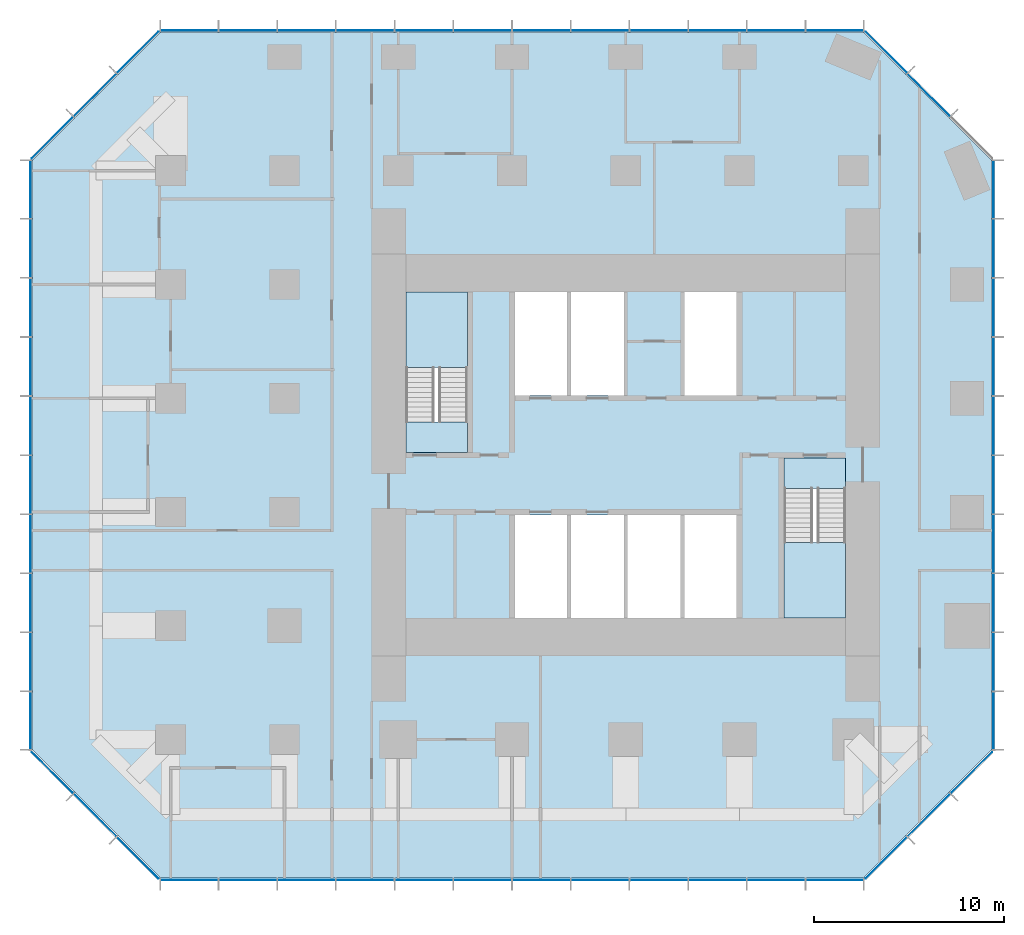
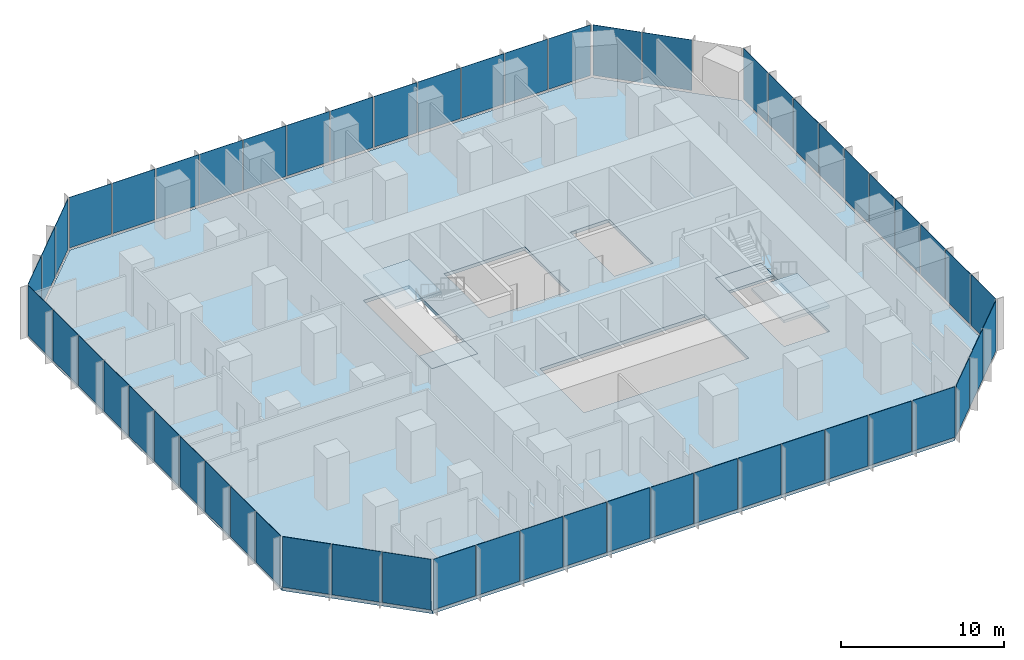
# One storey, part 7 of 11: 55 plates, 5 slabs, 10 elements without a shape of their own.
"""IFC4 building model written with IfcOpenShell, lengths in metres."""

from ifc_helpers import new_model, si_unit, direction, frame, origin, origin_2d, place, context, subcontext, project, spatial, polyline, rectangle, outline, extrude, material, layer, layer_set, type_object, element, aggregate, save


model = new_model("IFC4")

# Units and contexts
model_context = context("Model", 3, precision=1e-05, world=origin(), true_north=direction((0.0, 1.0)))
body_context = subcontext(model_context, "Body", "Model", "MODEL_VIEW")
ifc_project = project(units=[si_unit("LENGTHUNIT", "METRE"), si_unit("AREAUNIT", "SQUARE_METRE"), si_unit("VOLUMEUNIT", "CUBIC_METRE"), si_unit("PLANEANGLEUNIT", "RADIAN"), si_unit("MASSUNIT", "GRAM", prefix="KILO")], contexts=[model_context])

# Site, building, storey
site_placement = place(None, origin())
site = spatial("IfcSite", under=ifc_project, at=site_placement, CompositionType="ELEMENT")
building_placement = place(site_placement, origin())
building = spatial("IfcBuilding", under=site, at=building_placement, Name="Highveld Stack Headquarters", CompositionType="ELEMENT")
storey_placement = place(building_placement, frame((0.0, 0.0, 132.800048828125)))
storey = spatial("IfcBuildingStorey", under=building, at=storey_placement, Name="L32", CompositionType="ELEMENT", Elevation=132.800048828125)

# Curtain wall, plates
ifc_material_1 = material(Name="Aluminium bronze anodised", Category="aluminium")
ifc_layer_1 = layer(ifc_material_1, 0.199951171875)
ifc_layer_set_1 = layer_set([ifc_layer_1], Name="Aluminium bronze anodised")
curtain_wall_type_1 = type_object("IfcCurtainWallType", Name="CW1 TOWER UNITISED CURTAIN WALL", PredefinedType="NOTDEFINED", material=ifc_layer_set_1)
curtain_wall_1_placement = place(storey_placement, origin())
curtain_wall_1 = element("IfcCurtainWall", 1, at=curtain_wall_1_placement, inside=storey, type_object=curtain_wall_type_1, Name="Curtain wall CW1 L32 S", PredefinedType="NOTDEFINED")
ifc_material_2 = material(Name="Glass bronze tinted double glazed unit", Category="glass")
ifc_layer_2 = layer(ifc_material_2, 0.028076171875)
ifc_layer_set_2 = layer_set([ifc_layer_2], Name="Glass bronze tinted double glazed unit")
plate_type_1 = type_object("IfcPlateType", Name="CW1 PANEL BRONZE TINTED DOUBLE GLAZED UNIT", PredefinedType="CURTAIN_PANEL", material=ifc_layer_set_2)
plate_1_placement = place(storey_placement, frame((-17.015380859375, -19.39990234375, 0.10009765625), z_axis=(0.0, 0.0, 1.0), x_axis=(1.0, 0.0, 0.0)))
plate_1 = element("IfcPlate", 2, at=plate_1_placement, type_object=plate_type_1, Name="CW1 panel L32 1.1", PredefinedType="CURTAIN_PANEL", context=body_context, shape_type="SweptSolid", body=[
    extrude(rectangle(XDim=2.9990234375, YDim=0.028076171875, at=origin_2d()), origin(), (0.0, 0.0, 1.0), 3.800048828125),
])
plate_2_placement = place(storey_placement, frame((-13.934814453125, -19.39990234375, 0.10009765625), z_axis=(0.0, 0.0, 1.0), x_axis=(1.0, 0.0, 0.0)))
plate_2 = element("IfcPlate", 3, at=plate_2_placement, type_object=plate_type_1, Name="CW1 panel L32 2.1", PredefinedType="CURTAIN_PANEL", context=body_context, shape_type="SweptSolid", body=[
    extrude(rectangle(XDim=3.031494140625, YDim=0.028076171875, at=origin_2d()), origin(), (0.0, 0.0, 1.0), 3.800048828125),
])
plate_3_placement = place(storey_placement, frame((-10.83837890625, -19.39990234375, 0.10009765625), z_axis=(0.0, 0.0, 1.0), x_axis=(1.0, 0.0, 0.0)))
plate_3 = element("IfcPlate", 4, at=plate_3_placement, type_object=plate_type_1, Name="CW1 panel L32 3.1", PredefinedType="CURTAIN_PANEL", context=body_context, shape_type="SweptSolid", body=[
    extrude(rectangle(XDim=3.031494140625, YDim=0.028076171875, at=origin_2d()), origin(), (0.0, 0.0, 1.0), 3.800048828125),
])
plate_4_placement = place(storey_placement, frame((-7.74169921875, -19.39990234375, 0.10009765625), z_axis=(0.0, 0.0, 1.0), x_axis=(1.0, 0.0, 0.0)))
plate_4 = element("IfcPlate", 5, at=plate_4_placement, type_object=plate_type_1, Name="CW1 panel L32 4.1", PredefinedType="CURTAIN_PANEL", context=body_context, shape_type="SweptSolid", body=[
    extrude(rectangle(XDim=3.031494140625, YDim=0.028076171875, at=origin_2d()), origin(), (0.0, 0.0, 1.0), 3.800048828125),
])
plate_5_placement = place(storey_placement, frame((-4.64501953125, -19.39990234375, 0.10009765625), z_axis=(0.0, 0.0, 1.0), x_axis=(1.0, 0.0, 0.0)))
plate_5 = element("IfcPlate", 6, at=plate_5_placement, type_object=plate_type_1, Name="CW1 panel L32 5.1", PredefinedType="CURTAIN_PANEL", context=body_context, shape_type="SweptSolid", body=[
    extrude(rectangle(XDim=3.031494140625, YDim=0.028076171875, at=origin_2d()), origin(), (0.0, 0.0, 1.0), 3.800048828125),
])
plate_6_placement = place(storey_placement, frame((-1.54833984375, -19.39990234375, 0.10009765625), z_axis=(0.0, 0.0, 1.0), x_axis=(1.0, 0.0, 0.0)))
plate_6 = element("IfcPlate", 7, at=plate_6_placement, type_object=plate_type_1, Name="CW1 panel L32 6.1", PredefinedType="CURTAIN_PANEL", context=body_context, shape_type="SweptSolid", body=[
    extrude(rectangle(XDim=3.031494140625, YDim=0.028076171875, at=origin_2d()), origin(), (0.0, 0.0, 1.0), 3.800048828125),
])
plate_7_placement = place(storey_placement, frame((1.54833984375, -19.39990234375, 0.10009765625), z_axis=(0.0, 0.0, 1.0), x_axis=(1.0, 0.0, 0.0)))
plate_7 = element("IfcPlate", 8, at=plate_7_placement, type_object=plate_type_1, Name="CW1 panel L32 7.1", PredefinedType="CURTAIN_PANEL", context=body_context, shape_type="SweptSolid", body=[
    extrude(rectangle(XDim=3.03173828125, YDim=0.028076171875, at=origin_2d()), origin(), (0.0, 0.0, 1.0), 3.800048828125),
])
plate_8_placement = place(storey_placement, frame((4.64501953125, -19.39990234375, 0.10009765625), z_axis=(0.0, 0.0, 1.0), x_axis=(1.0, 0.0, 0.0)))
plate_8 = element("IfcPlate", 9, at=plate_8_placement, type_object=plate_type_1, Name="CW1 panel L32 8.1", PredefinedType="CURTAIN_PANEL", context=body_context, shape_type="SweptSolid", body=[
    extrude(rectangle(XDim=3.03173828125, YDim=0.028076171875, at=origin_2d()), origin(), (0.0, 0.0, 1.0), 3.800048828125),
])
plate_9_placement = place(storey_placement, frame((7.74169921875, -19.39990234375, 0.10009765625), z_axis=(0.0, 0.0, 1.0), x_axis=(1.0, 0.0, 0.0)))
plate_9 = element("IfcPlate", 10, at=plate_9_placement, type_object=plate_type_1, Name="CW1 panel L32 9.1", PredefinedType="CURTAIN_PANEL", context=body_context, shape_type="SweptSolid", body=[
    extrude(rectangle(XDim=3.03173828125, YDim=0.028076171875, at=origin_2d()), origin(), (0.0, 0.0, 1.0), 3.800048828125),
])
plate_10_placement = place(storey_placement, frame((10.83837890625, -19.39990234375, 0.10009765625), z_axis=(0.0, 0.0, 1.0), x_axis=(1.0, 0.0, 0.0)))
plate_10 = element("IfcPlate", 11, at=plate_10_placement, type_object=plate_type_1, Name="CW1 panel L32 10.1", PredefinedType="CURTAIN_PANEL", context=body_context, shape_type="SweptSolid", body=[
    extrude(rectangle(XDim=3.03173828125, YDim=0.028076171875, at=origin_2d()), origin(), (0.0, 0.0, 1.0), 3.800048828125),
])
plate_11_placement = place(storey_placement, frame((13.934814453125, -19.39990234375, 0.10009765625), z_axis=(0.0, 0.0, 1.0), x_axis=(1.0, 0.0, 0.0)))
plate_11 = element("IfcPlate", 12, at=plate_11_placement, type_object=plate_type_1, Name="CW1 panel L32 11.1", PredefinedType="CURTAIN_PANEL", context=body_context, shape_type="SweptSolid", body=[
    extrude(rectangle(XDim=3.03173828125, YDim=0.028076171875, at=origin_2d()), origin(), (0.0, 0.0, 1.0), 3.800048828125),
])
plate_12_placement = place(storey_placement, frame((17.015380859375, -19.39990234375, 0.10009765625), z_axis=(0.0, 0.0, 1.0), x_axis=(1.0, 0.0, 0.0)))
plate_12 = element("IfcPlate", 13, at=plate_12_placement, type_object=plate_type_1, Name="CW1 panel L32 12.1", PredefinedType="CURTAIN_PANEL", context=body_context, shape_type="SweptSolid", body=[
    extrude(rectangle(XDim=2.999267578125, YDim=0.028076171875, at=origin_2d()), origin(), (0.0, 0.0, 1.0), 3.800048828125),
])
aggregate(curtain_wall_1, [plate_1, plate_2, plate_3, plate_4, plate_5, plate_6, plate_7, plate_8, plate_9, plate_10, plate_11, plate_12])

curtain_wall_2_placement = place(storey_placement, origin())
curtain_wall_2 = element("IfcCurtainWall", 14, at=curtain_wall_2_placement, inside=storey, type_object=curtain_wall_type_1, Name="Curtain wall CW1 L32 E", PredefinedType="NOTDEFINED")
plate_13_placement = place(storey_placement, frame((25.39990234375, -11.005615234375, 0.10009765625), z_axis=(0.0, 0.0, 1.0), x_axis=(0.0, 1.0, 0.0)))
plate_13 = element("IfcPlate", 15, at=plate_13_placement, type_object=plate_type_1, Name="CW1 panel L32 1.1", PredefinedType="CURTAIN_PANEL", context=body_context, shape_type="SweptSolid", body=[
    extrude(rectangle(XDim=3.0185546875, YDim=0.028076171875, at=origin_2d()), origin(), (0.0, 0.0, 1.0), 3.800048828125),
])
plate_14_placement = place(storey_placement, frame((25.39990234375, -7.906005859375, 0.10009765625), z_axis=(0.0, 0.0, 1.0), x_axis=(0.0, 1.0, 0.0)))
plate_14 = element("IfcPlate", 16, at=plate_14_placement, type_object=plate_type_1, Name="CW1 panel L32 2.1", PredefinedType="CURTAIN_PANEL", context=body_context, shape_type="SweptSolid", body=[
    extrude(rectangle(XDim=3.051025390625, YDim=0.028076171875, at=origin_2d()), origin(), (0.0, 0.0, 1.0), 3.800048828125),
])
plate_15_placement = place(storey_placement, frame((25.39990234375, -4.7900390625, 0.10009765625), z_axis=(0.0, 0.0, 1.0), x_axis=(0.0, 1.0, 0.0)))
plate_15 = element("IfcPlate", 17, at=plate_15_placement, type_object=plate_type_1, Name="CW1 panel L32 3.1", PredefinedType="CURTAIN_PANEL", context=body_context, shape_type="SweptSolid", body=[
    extrude(rectangle(XDim=3.051025390625, YDim=0.028076171875, at=origin_2d()), origin(), (0.0, 0.0, 1.0), 3.800048828125),
])
plate_16_placement = place(storey_placement, frame((25.39990234375, -1.674072265625, 0.10009765625), z_axis=(0.0, 0.0, 1.0), x_axis=(0.0, 1.0, 0.0)))
plate_16 = element("IfcPlate", 18, at=plate_16_placement, type_object=plate_type_1, Name="CW1 panel L32 4.1", PredefinedType="CURTAIN_PANEL", context=body_context, shape_type="SweptSolid", body=[
    extrude(rectangle(XDim=3.051025390625, YDim=0.028076171875, at=origin_2d()), origin(), (0.0, 0.0, 1.0), 3.800048828125),
])
plate_17_placement = place(storey_placement, frame((25.39990234375, 1.44189453125, 0.10009765625), z_axis=(0.0, 0.0, 1.0), x_axis=(0.0, 1.0, 0.0)))
plate_17 = element("IfcPlate", 19, at=plate_17_placement, type_object=plate_type_1, Name="CW1 panel L32 5.1", PredefinedType="CURTAIN_PANEL", context=body_context, shape_type="SweptSolid", body=[
    extrude(rectangle(XDim=3.051025390625, YDim=0.028076171875, at=origin_2d()), origin(), (0.0, 0.0, 1.0), 3.800048828125),
])
plate_18_placement = place(storey_placement, frame((25.39990234375, 4.55810546875, 0.10009765625), z_axis=(0.0, 0.0, 1.0), x_axis=(0.0, 1.0, 0.0)))
plate_18 = element("IfcPlate", 20, at=plate_18_placement, type_object=plate_type_1, Name="CW1 panel L32 6.1", PredefinedType="CURTAIN_PANEL", context=body_context, shape_type="SweptSolid", body=[
    extrude(rectangle(XDim=3.051025390625, YDim=0.028076171875, at=origin_2d()), origin(), (0.0, 0.0, 1.0), 3.800048828125),
])
plate_19_placement = place(storey_placement, frame((25.39990234375, 7.674072265625, 0.10009765625), z_axis=(0.0, 0.0, 1.0), x_axis=(0.0, 1.0, 0.0)))
plate_19 = element("IfcPlate", 21, at=plate_19_placement, type_object=plate_type_1, Name="CW1 panel L32 7.1", PredefinedType="CURTAIN_PANEL", context=body_context, shape_type="SweptSolid", body=[
    extrude(rectangle(XDim=3.051025390625, YDim=0.028076171875, at=origin_2d()), origin(), (0.0, 0.0, 1.0), 3.800048828125),
])
plate_20_placement = place(storey_placement, frame((25.39990234375, 10.789794921875, 0.10009765625), z_axis=(0.0, 0.0, 1.0), x_axis=(0.0, 1.0, 0.0)))
plate_20 = element("IfcPlate", 22, at=plate_20_placement, type_object=plate_type_1, Name="CW1 panel L32 8.1", PredefinedType="CURTAIN_PANEL", context=body_context, shape_type="SweptSolid", body=[
    extrude(rectangle(XDim=3.051025390625, YDim=0.028076171875, at=origin_2d()), origin(), (0.0, 0.0, 1.0), 3.800048828125),
])
plate_21_placement = place(storey_placement, frame((25.39990234375, 13.906005859375, 0.10009765625), z_axis=(0.0, 0.0, 1.0), x_axis=(0.0, 1.0, 0.0)))
plate_21 = element("IfcPlate", 23, at=plate_21_placement, type_object=plate_type_1, Name="CW1 panel L32 9.1", PredefinedType="CURTAIN_PANEL", context=body_context, shape_type="SweptSolid", body=[
    extrude(rectangle(XDim=3.051025390625, YDim=0.028076171875, at=origin_2d()), origin(), (0.0, 0.0, 1.0), 3.800048828125),
])
plate_22_placement = place(storey_placement, frame((25.39990234375, 17.005615234375, 0.10009765625), z_axis=(0.0, 0.0, 1.0), x_axis=(0.0, 1.0, 0.0)))
plate_22 = element("IfcPlate", 24, at=plate_22_placement, type_object=plate_type_1, Name="CW1 panel L32 10.1", PredefinedType="CURTAIN_PANEL", context=body_context, shape_type="SweptSolid", body=[
    extrude(rectangle(XDim=3.0185546875, YDim=0.028076171875, at=origin_2d()), origin(), (0.0, 0.0, 1.0), 3.800048828125),
])
aggregate(curtain_wall_2, [plate_13, plate_14, plate_15, plate_16, plate_17, plate_18, plate_19, plate_20, plate_21, plate_22])

curtain_wall_3_placement = place(storey_placement, origin())
curtain_wall_3 = element("IfcCurtainWall", 25, at=curtain_wall_3_placement, inside=storey, type_object=curtain_wall_type_1, Name="Curtain wall CW1 L32 N", PredefinedType="NOTDEFINED")
plate_23_placement = place(storey_placement, frame((17.015380859375, 25.39990234375, 0.10009765625), z_axis=(0.0, 0.0, 1.0), x_axis=(-1.0, 0.0, 0.0)))
plate_23 = element("IfcPlate", 26, at=plate_23_placement, type_object=plate_type_1, Name="CW1 panel L32 1.1", PredefinedType="CURTAIN_PANEL", context=body_context, shape_type="SweptSolid", body=[
    extrude(rectangle(XDim=2.9990234375, YDim=0.028076171875, at=origin_2d()), origin(), (0.0, 0.0, 1.0), 3.800048828125),
])
plate_24_placement = place(storey_placement, frame((13.934814453125, 25.39990234375, 0.10009765625), z_axis=(0.0, 0.0, 1.0), x_axis=(-1.0, 0.0, 0.0)))
plate_24 = element("IfcPlate", 27, at=plate_24_placement, type_object=plate_type_1, Name="CW1 panel L32 2.1", PredefinedType="CURTAIN_PANEL", context=body_context, shape_type="SweptSolid", body=[
    extrude(rectangle(XDim=3.031494140625, YDim=0.028076171875, at=origin_2d()), origin(), (0.0, 0.0, 1.0), 3.800048828125),
])
plate_25_placement = place(storey_placement, frame((10.83837890625, 25.39990234375, 0.10009765625), z_axis=(0.0, 0.0, 1.0), x_axis=(-1.0, 0.0, 0.0)))
plate_25 = element("IfcPlate", 28, at=plate_25_placement, type_object=plate_type_1, Name="CW1 panel L32 3.1", PredefinedType="CURTAIN_PANEL", context=body_context, shape_type="SweptSolid", body=[
    extrude(rectangle(XDim=3.031494140625, YDim=0.028076171875, at=origin_2d()), origin(), (0.0, 0.0, 1.0), 3.800048828125),
])
plate_26_placement = place(storey_placement, frame((7.74169921875, 25.39990234375, 0.10009765625), z_axis=(0.0, 0.0, 1.0), x_axis=(-1.0, 0.0, 0.0)))
plate_26 = element("IfcPlate", 29, at=plate_26_placement, type_object=plate_type_1, Name="CW1 panel L32 4.1", PredefinedType="CURTAIN_PANEL", context=body_context, shape_type="SweptSolid", body=[
    extrude(rectangle(XDim=3.031494140625, YDim=0.028076171875, at=origin_2d()), origin(), (0.0, 0.0, 1.0), 3.800048828125),
])
plate_27_placement = place(storey_placement, frame((4.64501953125, 25.39990234375, 0.10009765625), z_axis=(0.0, 0.0, 1.0), x_axis=(-1.0, 0.0, 0.0)))
plate_27 = element("IfcPlate", 30, at=plate_27_placement, type_object=plate_type_1, Name="CW1 panel L32 5.1", PredefinedType="CURTAIN_PANEL", context=body_context, shape_type="SweptSolid", body=[
    extrude(rectangle(XDim=3.031494140625, YDim=0.028076171875, at=origin_2d()), origin(), (0.0, 0.0, 1.0), 3.800048828125),
])
plate_28_placement = place(storey_placement, frame((1.54833984375, 25.39990234375, 0.10009765625), z_axis=(0.0, 0.0, 1.0), x_axis=(-1.0, 0.0, 0.0)))
plate_28 = element("IfcPlate", 31, at=plate_28_placement, type_object=plate_type_1, Name="CW1 panel L32 6.1", PredefinedType="CURTAIN_PANEL", context=body_context, shape_type="SweptSolid", body=[
    extrude(rectangle(XDim=3.031494140625, YDim=0.028076171875, at=origin_2d()), origin(), (0.0, 0.0, 1.0), 3.800048828125),
])
plate_29_placement = place(storey_placement, frame((-1.54833984375, 25.39990234375, 0.10009765625), z_axis=(0.0, 0.0, 1.0), x_axis=(-1.0, 0.0, 0.0)))
plate_29 = element("IfcPlate", 32, at=plate_29_placement, type_object=plate_type_1, Name="CW1 panel L32 7.1", PredefinedType="CURTAIN_PANEL", context=body_context, shape_type="SweptSolid", body=[
    extrude(rectangle(XDim=3.03173828125, YDim=0.028076171875, at=origin_2d()), origin(), (0.0, 0.0, 1.0), 3.800048828125),
])
plate_30_placement = place(storey_placement, frame((-4.64501953125, 25.39990234375, 0.10009765625), z_axis=(0.0, 0.0, 1.0), x_axis=(-1.0, 0.0, 0.0)))
plate_30 = element("IfcPlate", 33, at=plate_30_placement, type_object=plate_type_1, Name="CW1 panel L32 8.1", PredefinedType="CURTAIN_PANEL", context=body_context, shape_type="SweptSolid", body=[
    extrude(rectangle(XDim=3.03173828125, YDim=0.028076171875, at=origin_2d()), origin(), (0.0, 0.0, 1.0), 3.800048828125),
])
plate_31_placement = place(storey_placement, frame((-7.74169921875, 25.39990234375, 0.10009765625), z_axis=(0.0, 0.0, 1.0), x_axis=(-1.0, 0.0, 0.0)))
plate_31 = element("IfcPlate", 34, at=plate_31_placement, type_object=plate_type_1, Name="CW1 panel L32 9.1", PredefinedType="CURTAIN_PANEL", context=body_context, shape_type="SweptSolid", body=[
    extrude(rectangle(XDim=3.03173828125, YDim=0.028076171875, at=origin_2d()), origin(), (0.0, 0.0, 1.0), 3.800048828125),
])
plate_32_placement = place(storey_placement, frame((-10.83837890625, 25.39990234375, 0.10009765625), z_axis=(0.0, 0.0, 1.0), x_axis=(-1.0, 0.0, 0.0)))
plate_32 = element("IfcPlate", 35, at=plate_32_placement, type_object=plate_type_1, Name="CW1 panel L32 10.1", PredefinedType="CURTAIN_PANEL", context=body_context, shape_type="SweptSolid", body=[
    extrude(rectangle(XDim=3.03173828125, YDim=0.028076171875, at=origin_2d()), origin(), (0.0, 0.0, 1.0), 3.800048828125),
])
plate_33_placement = place(storey_placement, frame((-13.934814453125, 25.39990234375, 0.10009765625), z_axis=(0.0, 0.0, 1.0), x_axis=(-1.0, 0.0, 0.0)))
plate_33 = element("IfcPlate", 36, at=plate_33_placement, type_object=plate_type_1, Name="CW1 panel L32 11.1", PredefinedType="CURTAIN_PANEL", context=body_context, shape_type="SweptSolid", body=[
    extrude(rectangle(XDim=3.03173828125, YDim=0.028076171875, at=origin_2d()), origin(), (0.0, 0.0, 1.0), 3.800048828125),
])
plate_34_placement = place(storey_placement, frame((-17.015380859375, 25.39990234375, 0.10009765625), z_axis=(0.0, 0.0, 1.0), x_axis=(-1.0, 0.0, 0.0)))
plate_34 = element("IfcPlate", 37, at=plate_34_placement, type_object=plate_type_1, Name="CW1 panel L32 12.1", PredefinedType="CURTAIN_PANEL", context=body_context, shape_type="SweptSolid", body=[
    extrude(rectangle(XDim=2.999267578125, YDim=0.028076171875, at=origin_2d()), origin(), (0.0, 0.0, 1.0), 3.800048828125),
])
aggregate(curtain_wall_3, [plate_23, plate_24, plate_25, plate_26, plate_27, plate_28, plate_29, plate_30, plate_31, plate_32, plate_33, plate_34])

curtain_wall_4_placement = place(storey_placement, origin())
curtain_wall_4 = element("IfcCurtainWall", 38, at=curtain_wall_4_placement, inside=storey, type_object=curtain_wall_type_1, Name="Curtain wall CW1 L32 W", PredefinedType="NOTDEFINED")
plate_35_placement = place(storey_placement, frame((-25.39990234375, 17.005615234375, 0.10009765625), z_axis=(0.0, 0.0, 1.0), x_axis=(0.0, -1.0, 0.0)))
plate_35 = element("IfcPlate", 39, at=plate_35_placement, type_object=plate_type_1, Name="CW1 panel L32 1.1", PredefinedType="CURTAIN_PANEL", context=body_context, shape_type="SweptSolid", body=[
    extrude(rectangle(XDim=3.0185546875, YDim=0.028076171875, at=origin_2d()), origin(), (0.0, 0.0, 1.0), 3.800048828125),
])
plate_36_placement = place(storey_placement, frame((-25.39990234375, 13.906005859375, 0.10009765625), z_axis=(0.0, 0.0, 1.0), x_axis=(0.0, -1.0, 0.0)))
plate_36 = element("IfcPlate", 40, at=plate_36_placement, type_object=plate_type_1, Name="CW1 panel L32 2.1", PredefinedType="CURTAIN_PANEL", context=body_context, shape_type="SweptSolid", body=[
    extrude(rectangle(XDim=3.051025390625, YDim=0.028076171875, at=origin_2d()), origin(), (0.0, 0.0, 1.0), 3.800048828125),
])
plate_37_placement = place(storey_placement, frame((-25.39990234375, 10.7900390625, 0.10009765625), z_axis=(0.0, 0.0, 1.0), x_axis=(0.0, -1.0, 0.0)))
plate_37 = element("IfcPlate", 41, at=plate_37_placement, type_object=plate_type_1, Name="CW1 panel L32 3.1", PredefinedType="CURTAIN_PANEL", context=body_context, shape_type="SweptSolid", body=[
    extrude(rectangle(XDim=3.051025390625, YDim=0.028076171875, at=origin_2d()), origin(), (0.0, 0.0, 1.0), 3.800048828125),
])
plate_38_placement = place(storey_placement, frame((-25.39990234375, 7.674072265625, 0.10009765625), z_axis=(0.0, 0.0, 1.0), x_axis=(0.0, -1.0, 0.0)))
plate_38 = element("IfcPlate", 42, at=plate_38_placement, type_object=plate_type_1, Name="CW1 panel L32 4.1", PredefinedType="CURTAIN_PANEL", context=body_context, shape_type="SweptSolid", body=[
    extrude(rectangle(XDim=3.051025390625, YDim=0.028076171875, at=origin_2d()), origin(), (0.0, 0.0, 1.0), 3.800048828125),
])
plate_39_placement = place(storey_placement, frame((-25.39990234375, 4.55810546875, 0.10009765625), z_axis=(0.0, 0.0, 1.0), x_axis=(0.0, -1.0, 0.0)))
plate_39 = element("IfcPlate", 43, at=plate_39_placement, type_object=plate_type_1, Name="CW1 panel L32 5.1", PredefinedType="CURTAIN_PANEL", context=body_context, shape_type="SweptSolid", body=[
    extrude(rectangle(XDim=3.051025390625, YDim=0.028076171875, at=origin_2d()), origin(), (0.0, 0.0, 1.0), 3.800048828125),
])
plate_40_placement = place(storey_placement, frame((-25.39990234375, 1.44189453125, 0.10009765625), z_axis=(0.0, 0.0, 1.0), x_axis=(0.0, -1.0, 0.0)))
plate_40 = element("IfcPlate", 44, at=plate_40_placement, type_object=plate_type_1, Name="CW1 panel L32 6.1", PredefinedType="CURTAIN_PANEL", context=body_context, shape_type="SweptSolid", body=[
    extrude(rectangle(XDim=3.051025390625, YDim=0.028076171875, at=origin_2d()), origin(), (0.0, 0.0, 1.0), 3.800048828125),
])
plate_41_placement = place(storey_placement, frame((-25.39990234375, -1.674072265625, 0.10009765625), z_axis=(0.0, 0.0, 1.0), x_axis=(0.0, -1.0, 0.0)))
plate_41 = element("IfcPlate", 45, at=plate_41_placement, type_object=plate_type_1, Name="CW1 panel L32 7.1", PredefinedType="CURTAIN_PANEL", context=body_context, shape_type="SweptSolid", body=[
    extrude(rectangle(XDim=3.051025390625, YDim=0.028076171875, at=origin_2d()), origin(), (0.0, 0.0, 1.0), 3.800048828125),
])
plate_42_placement = place(storey_placement, frame((-25.39990234375, -4.789794921875, 0.10009765625), z_axis=(0.0, 0.0, 1.0), x_axis=(0.0, -1.0, 0.0)))
plate_42 = element("IfcPlate", 46, at=plate_42_placement, type_object=plate_type_1, Name="CW1 panel L32 8.1", PredefinedType="CURTAIN_PANEL", context=body_context, shape_type="SweptSolid", body=[
    extrude(rectangle(XDim=3.051025390625, YDim=0.028076171875, at=origin_2d()), origin(), (0.0, 0.0, 1.0), 3.800048828125),
])
plate_43_placement = place(storey_placement, frame((-25.39990234375, -7.906005859375, 0.10009765625), z_axis=(0.0, 0.0, 1.0), x_axis=(0.0, -1.0, 0.0)))
plate_43 = element("IfcPlate", 47, at=plate_43_placement, type_object=plate_type_1, Name="CW1 panel L32 9.1", PredefinedType="CURTAIN_PANEL", context=body_context, shape_type="SweptSolid", body=[
    extrude(rectangle(XDim=3.051025390625, YDim=0.028076171875, at=origin_2d()), origin(), (0.0, 0.0, 1.0), 3.800048828125),
])
plate_44_placement = place(storey_placement, frame((-25.39990234375, -11.005615234375, 0.10009765625), z_axis=(0.0, 0.0, 1.0), x_axis=(0.0, -1.0, 0.0)))
plate_44 = element("IfcPlate", 48, at=plate_44_placement, type_object=plate_type_1, Name="CW1 panel L32 10.1", PredefinedType="CURTAIN_PANEL", context=body_context, shape_type="SweptSolid", body=[
    extrude(rectangle(XDim=3.0185546875, YDim=0.028076171875, at=origin_2d()), origin(), (0.0, 0.0, 1.0), 3.800048828125),
])
aggregate(curtain_wall_4, [plate_35, plate_36, plate_37, plate_38, plate_39, plate_40, plate_41, plate_42, plate_43, plate_44])

ifc_material_3 = material(Name="Aluminium bronze anodised", Category="aluminium")
ifc_layer_3 = layer(ifc_material_3, 0.199951171875)
ifc_layer_set_3 = layer_set([ifc_layer_3], Name="Aluminium bronze anodised")
curtain_wall_type_2 = type_object("IfcCurtainWallType", Name="CW2 TOWER CHAMFER UNITISED CURTAIN WALL", PredefinedType="NOTDEFINED", material=ifc_layer_set_3)
curtain_wall_5_placement = place(storey_placement, origin())
curtain_wall_5 = element("IfcCurtainWall", 49, at=curtain_wall_5_placement, inside=storey, type_object=curtain_wall_type_2, Name="Curtain wall CW2 L32 SE", PredefinedType="NOTDEFINED")
ifc_material_4 = material(Name="Glass bronze tinted double glazed unit", Category="glass")
ifc_layer_4 = layer(ifc_material_4, 0.028076171875)
ifc_layer_set_4 = layer_set([ifc_layer_4], Name="Glass bronze tinted double glazed unit")
plate_type_2 = type_object("IfcPlateType", Name="CW2 PANEL BRONZE TINTED DOUBLE GLAZED UNIT", PredefinedType="CURTAIN_PANEL", material=ifc_layer_set_4)
plate_45_placement = place(storey_placement, frame((19.740478515625, -18.239501953125, 0.10009765625), z_axis=(0.0, 0.0, 1.0), x_axis=(0.707106781187, 0.707106781187, 0.0)))
plate_45 = element("IfcPlate", 50, at=plate_45_placement, type_object=plate_type_2, Name="CW2 panel L32 1.1", PredefinedType="CURTAIN_PANEL", context=body_context, shape_type="SweptSolid", body=[
    extrude(rectangle(XDim=3.08251953125, YDim=0.028076171875, at=origin_2d()), origin(), (0.0, 0.0, 1.0), 3.800048828125),
])
plate_46_placement = place(storey_placement, frame((21.989990234375, -15.989990234375, 0.10009765625), z_axis=(0.0, 0.0, 1.0), x_axis=(0.707106781187, 0.707106781187, 0.0)))
plate_46 = element("IfcPlate", 51, at=plate_46_placement, type_object=plate_type_2, Name="CW2 panel L32 2.1", PredefinedType="CURTAIN_PANEL", context=body_context, shape_type="SweptSolid", body=[
    extrude(rectangle(XDim=3.14990234375, YDim=0.028076171875, at=origin_2d()), origin(), (0.0, 0.0, 1.0), 3.800048828125),
])
plate_47_placement = place(storey_placement, frame((24.239501953125, -13.740478515625, 0.10009765625), z_axis=(0.0, 0.0, 1.0), x_axis=(0.707106781187, 0.707106781187, 0.0)))
plate_47 = element("IfcPlate", 52, at=plate_47_placement, type_object=plate_type_2, Name="CW2 panel L32 3.1", PredefinedType="CURTAIN_PANEL", context=body_context, shape_type="SweptSolid", body=[
    extrude(rectangle(XDim=3.08251953125, YDim=0.028076171875, at=origin_2d()), origin(), (0.0, 0.0, 1.0), 3.800048828125),
])
aggregate(curtain_wall_5, [plate_45, plate_46, plate_47])

curtain_wall_6_placement = place(storey_placement, origin())
curtain_wall_6 = element("IfcCurtainWall", 53, at=curtain_wall_6_placement, inside=storey, type_object=curtain_wall_type_2, Name="Curtain wall CW2 L32 NE", PredefinedType="NOTDEFINED")
plate_48_placement = place(storey_placement, frame((21.989990234375, 21.989990234375, 0.10009765625), z_axis=(0.0, 0.0, 1.0), x_axis=(-0.707106781187, 0.707106781187, 0.0)))
plate_48 = element("IfcPlate", 54, at=plate_48_placement, type_object=plate_type_2, Name="CW2 panel L32 2.1", PredefinedType="CURTAIN_PANEL", context=body_context, shape_type="SweptSolid", body=[
    extrude(rectangle(XDim=3.14990234375, YDim=0.028076171875, at=origin_2d()), origin(), (0.0, 0.0, 1.0), 3.800048828125),
])
plate_49_placement = place(storey_placement, frame((19.740478515625, 24.239501953125, 0.10009765625), z_axis=(0.0, 0.0, 1.0), x_axis=(-0.707106781187, 0.707106781187, 0.0)))
plate_49 = element("IfcPlate", 55, at=plate_49_placement, type_object=plate_type_2, Name="CW2 panel L32 3.1", PredefinedType="CURTAIN_PANEL", context=body_context, shape_type="SweptSolid", body=[
    extrude(rectangle(XDim=3.08251953125, YDim=0.028076171875, at=origin_2d()), origin(), (0.0, 0.0, 1.0), 3.800048828125),
])
aggregate(curtain_wall_6, [plate_48, plate_49])

curtain_wall_7_placement = place(storey_placement, origin())
curtain_wall_7 = element("IfcCurtainWall", 56, at=curtain_wall_7_placement, inside=storey, type_object=curtain_wall_type_2, Name="Curtain wall CW2 L32 NW", PredefinedType="NOTDEFINED")
plate_50_placement = place(storey_placement, frame((-19.740478515625, 24.239501953125, 0.10009765625), z_axis=(0.0, 0.0, 1.0), x_axis=(-0.707106781187, -0.707106781187, 0.0)))
plate_50 = element("IfcPlate", 57, at=plate_50_placement, type_object=plate_type_2, Name="CW2 panel L32 1.1", PredefinedType="CURTAIN_PANEL", context=body_context, shape_type="SweptSolid", body=[
    extrude(rectangle(XDim=3.08251953125, YDim=0.028076171875, at=origin_2d()), origin(), (0.0, 0.0, 1.0), 3.800048828125),
])
plate_51_placement = place(storey_placement, frame((-21.989990234375, 21.989990234375, 0.10009765625), z_axis=(0.0, 0.0, 1.0), x_axis=(-0.707106781187, -0.707106781187, 0.0)))
plate_51 = element("IfcPlate", 58, at=plate_51_placement, type_object=plate_type_2, Name="CW2 panel L32 2.1", PredefinedType="CURTAIN_PANEL", context=body_context, shape_type="SweptSolid", body=[
    extrude(rectangle(XDim=3.14990234375, YDim=0.028076171875, at=origin_2d()), origin(), (0.0, 0.0, 1.0), 3.800048828125),
])
plate_52_placement = place(storey_placement, frame((-24.239501953125, 19.740478515625, 0.10009765625), z_axis=(0.0, 0.0, 1.0), x_axis=(-0.707106781187, -0.707106781187, 0.0)))
plate_52 = element("IfcPlate", 59, at=plate_52_placement, type_object=plate_type_2, Name="CW2 panel L32 3.1", PredefinedType="CURTAIN_PANEL", context=body_context, shape_type="SweptSolid", body=[
    extrude(rectangle(XDim=3.08251953125, YDim=0.028076171875, at=origin_2d()), origin(), (0.0, 0.0, 1.0), 3.800048828125),
])
aggregate(curtain_wall_7, [plate_50, plate_51, plate_52])

curtain_wall_8_placement = place(storey_placement, origin())
curtain_wall_8 = element("IfcCurtainWall", 60, at=curtain_wall_8_placement, inside=storey, type_object=curtain_wall_type_2, Name="Curtain wall CW2 L32 SW", PredefinedType="NOTDEFINED")
plate_53_placement = place(storey_placement, frame((-24.239501953125, -13.740478515625, 0.10009765625), z_axis=(0.0, 0.0, 1.0), x_axis=(0.707106781187, -0.707106781187, 0.0)))
plate_53 = element("IfcPlate", 61, at=plate_53_placement, type_object=plate_type_2, Name="CW2 panel L32 1.1", PredefinedType="CURTAIN_PANEL", context=body_context, shape_type="SweptSolid", body=[
    extrude(rectangle(XDim=3.08251953125, YDim=0.028076171875, at=origin_2d()), origin(), (0.0, 0.0, 1.0), 3.800048828125),
])
plate_54_placement = place(storey_placement, frame((-21.989990234375, -15.989990234375, 0.10009765625), z_axis=(0.0, 0.0, 1.0), x_axis=(0.707106781187, -0.707106781187, 0.0)))
plate_54 = element("IfcPlate", 62, at=plate_54_placement, type_object=plate_type_2, Name="CW2 panel L32 2.1", PredefinedType="CURTAIN_PANEL", context=body_context, shape_type="SweptSolid", body=[
    extrude(rectangle(XDim=3.14990234375, YDim=0.028076171875, at=origin_2d()), origin(), (0.0, 0.0, 1.0), 3.800048828125),
])
plate_55_placement = place(storey_placement, frame((-19.740478515625, -18.239501953125, 0.10009765625), z_axis=(0.0, 0.0, 1.0), x_axis=(0.707106781187, -0.707106781187, 0.0)))
plate_55 = element("IfcPlate", 63, at=plate_55_placement, type_object=plate_type_2, Name="CW2 panel L32 3.1", PredefinedType="CURTAIN_PANEL", context=body_context, shape_type="SweptSolid", body=[
    extrude(rectangle(XDim=3.08251953125, YDim=0.028076171875, at=origin_2d()), origin(), (0.0, 0.0, 1.0), 3.800048828125),
])
aggregate(curtain_wall_8, [plate_53, plate_54, plate_55])

# Slab
ifc_material_5 = material(Name="Concrete C60/75", Category="concrete")
ifc_layer_5 = layer(ifc_material_5, 0.25)
ifc_layer_set_5 = layer_set([ifc_layer_5], Name="Concrete C60/75")
slab_type_1 = type_object("IfcSlabType", Name="PT FLAT SLAB 250", PredefinedType="FLOOR", material=ifc_layer_set_5)
slab_1_placement = place(storey_placement, frame((0.0, 0.0, -0.25)))
element("IfcSlab", 64, at=slab_1_placement, inside=storey, type_object=slab_type_1, Name="Floor slab L32", PredefinedType="FLOOR", context=body_context, shape_type="SweptSolid", body=[
    extrude(outline(polyline([(-18.53857421875, -19.300048828125), (18.53857421875, -19.300048828125), (25.300048828125, -12.53857421875), (25.300048828125, 18.53857421875), (18.53857421875, 25.300048828125), (-18.53857421875, 25.300048828125), (-25.300048828125, 18.53857421875), (-25.300048828125, -12.53857421875), (-18.53857421875, -19.300048828125)]), holes=[polyline([(0.14990234375, 6.14990234375), (5.89990234375, 6.14990234375), (5.89990234375, 11.60009765625), (0.14990234375, 11.60009765625), (0.14990234375, 6.14990234375)]), polyline([(9.10009765625, 6.14990234375), (11.85009765625, 6.14990234375), (11.85009765625, 11.60009765625), (9.10009765625, 11.60009765625), (9.10009765625, 6.14990234375)]), polyline([(0.14990234375, -5.60009765625), (11.85009765625, -5.60009765625), (11.85009765625, -0.14990234375), (0.14990234375, -0.14990234375), (0.14990234375, -5.60009765625)]), polyline([(-5.60009765625, 3.14990234375), (-2.35009765625, 3.14990234375), (-2.35009765625, 11.60009765625), (-5.60009765625, 11.60009765625), (-5.60009765625, 3.14990234375)]), polyline([(14.35009765625, -5.60009765625), (17.60009765625, -5.60009765625), (17.60009765625, 2.85009765625), (14.35009765625, 2.85009765625), (14.35009765625, -5.60009765625)])]), origin(), (0.0, 0.0, 1.0), 0.25),
])

# Stair, slabs
ifc_material_6 = material(Name="Concrete C40/50, precast", Category="concrete")
stair_type_1 = type_object("IfcStairType", Name="STAIR S1 HALF TURN 1500", PredefinedType="HALF_TURN_STAIR", material=ifc_material_6)
stair_1_placement = place(storey_placement, origin())
stair_1 = element("IfcStair", 65, at=stair_1_placement, inside=storey, type_object=stair_type_1, Name="Stair S1 L32", PredefinedType="HALF_TURN_STAIR")
ifc_material_7 = material(Name="Concrete C40/50, precast", Category="concrete")
ifc_layer_6 = layer(ifc_material_7, 0.199951171875)
ifc_layer_set_6 = layer_set([ifc_layer_6], Name="Concrete C40/50, precast")
slab_type_2 = type_object("IfcSlabType", Name="STAIR LANDING 200", PredefinedType="LANDING", material=ifc_layer_set_6)
slab_2_placement = place(storey_placement, frame((0.0, 0.0, 1.75)))
slab_2 = element("IfcSlab", 66, at=slab_2_placement, type_object=slab_type_2, Name="S1 landing 1", PredefinedType="LANDING", context=body_context, shape_type="SweptSolid", body=[
    extrude(outline(polyline([(-5.60009765625, 7.610107421875), (-2.35009765625, 7.610107421875), (-2.35009765625, 11.60009765625), (-5.60009765625, 11.60009765625), (-5.60009765625, 7.610107421875)])), origin(), (0.0, 0.0, 1.0), 0.199951171875),
])
slab_3_placement = place(storey_placement, frame((0.0, 0.0, -0.199951171875)))
slab_3 = element("IfcSlab", 67, at=slab_3_placement, type_object=slab_type_2, Name="S1 landing 2", PredefinedType="LANDING", context=body_context, shape_type="SweptSolid", body=[
    extrude(outline(polyline([(-5.60009765625, 3.14990234375), (-2.35009765625, 3.14990234375), (-2.35009765625, 4.75), (-5.60009765625, 4.75), (-5.60009765625, 3.14990234375)])), origin(), (0.0, 0.0, 1.0), 0.199951171875),
])
aggregate(stair_1, [slab_2, slab_3])

ifc_material_8 = material(Name="Concrete C40/50, precast", Category="concrete")
stair_type_2 = type_object("IfcStairType", Name="STAIR S2 HALF TURN 1500", PredefinedType="HALF_TURN_STAIR", material=ifc_material_8)
stair_2_placement = place(storey_placement, origin())
stair_2 = element("IfcStair", 68, at=stair_2_placement, inside=storey, type_object=stair_type_2, Name="Stair S2 L32", PredefinedType="HALF_TURN_STAIR")
slab_4_placement = place(storey_placement, frame((0.0, 0.0, 1.75)))
slab_4 = element("IfcSlab", 69, at=slab_4_placement, type_object=slab_type_2, Name="S2 landing 1", PredefinedType="LANDING", context=body_context, shape_type="SweptSolid", body=[
    extrude(outline(polyline([(14.35009765625, -5.60009765625), (17.60009765625, -5.60009765625), (17.60009765625, -1.610107421875), (14.35009765625, -1.610107421875), (14.35009765625, -5.60009765625)])), origin(), (0.0, 0.0, 1.0), 0.199951171875),
])
slab_5_placement = place(storey_placement, frame((0.0, 0.0, -0.199951171875)))
slab_5 = element("IfcSlab", 70, at=slab_5_placement, type_object=slab_type_2, Name="S2 landing 2", PredefinedType="LANDING", context=body_context, shape_type="SweptSolid", body=[
    extrude(outline(polyline([(14.35009765625, 1.25), (17.60009765625, 1.25), (17.60009765625, 2.85009765625), (14.35009765625, 2.85009765625), (14.35009765625, 1.25)])), origin(), (0.0, 0.0, 1.0), 0.199951171875),
])
aggregate(stair_2, [slab_4, slab_5])

save(model, "model.ifc")
